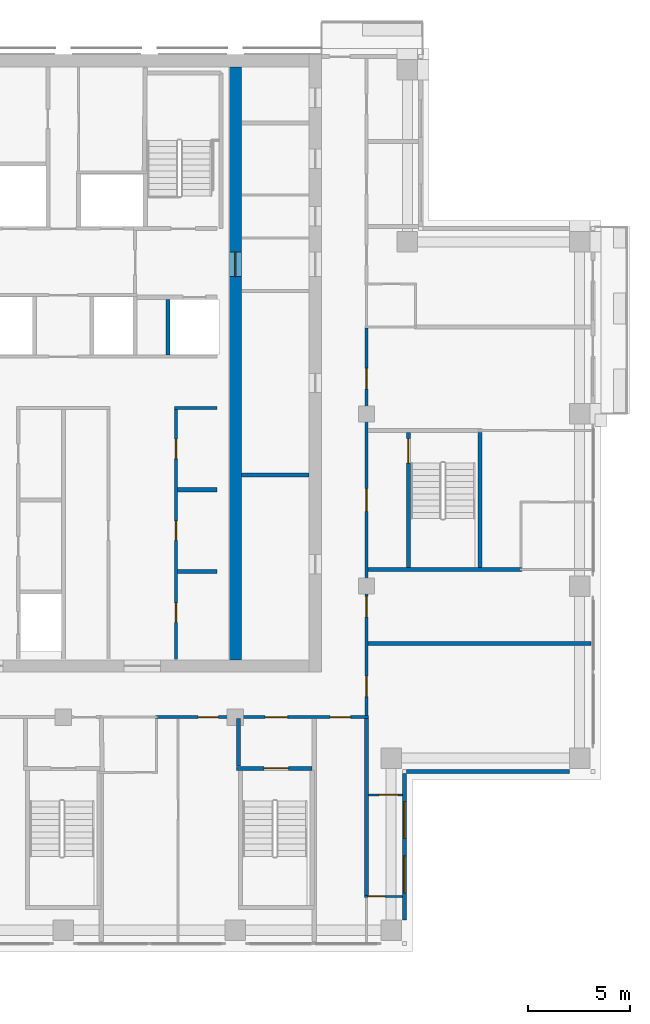
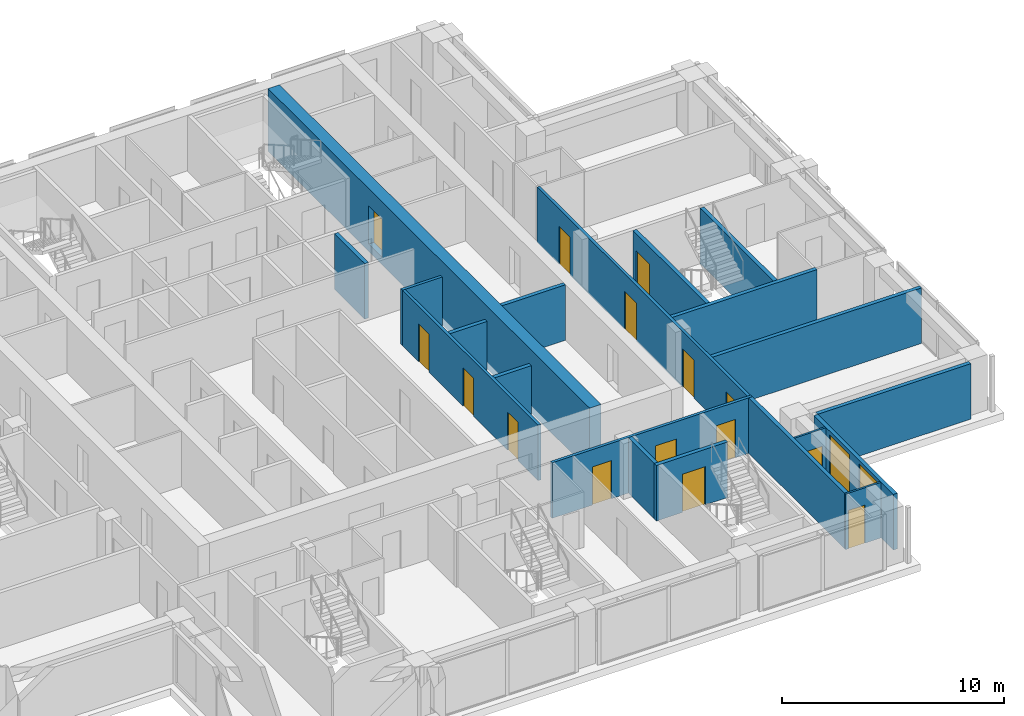
# One storey, part 10 of 16: 20 walls, 15 doors, 2 windows, 17 openings.
"""IFC4 building model written with IfcOpenShell, lengths in metres."""

from ifc_helpers import new_model, si_unit, direction, frame, frame_2d, origin, place, context, subcontext, project, spatial, rectangle, extrude, material, layer, layer_set, type_object, element, fill, save


model = new_model("IFC4")

# Units and contexts
model_context = context("Model", 3, precision=1e-05, world=origin(), true_north=direction((0.0, 1.0)))
body_context = subcontext(model_context, "Body", "Model", "MODEL_VIEW")
ifc_project = project(units=[si_unit("LENGTHUNIT", "METRE"), si_unit("AREAUNIT", "SQUARE_METRE"), si_unit("VOLUMEUNIT", "CUBIC_METRE"), si_unit("PLANEANGLEUNIT", "RADIAN"), si_unit("MASSUNIT", "GRAM", prefix="KILO")], contexts=[model_context])

# Site, building, storey
site_placement = place(None, origin())
site = spatial("IfcSite", under=ifc_project, at=site_placement, CompositionType="ELEMENT")
building_placement = place(site_placement, origin())
building = spatial("IfcBuilding", under=site, at=building_placement, Name="Vermilion Ogive Tower", CompositionType="ELEMENT")
storey_placement = place(building_placement, frame((0.0, 0.0, 182.449951171875)))
storey = spatial("IfcBuildingStorey", under=building, at=storey_placement, Name="L47", CompositionType="ELEMENT", Elevation=182.449951171875)

# Wall, opening, door
ifc_material_1 = material(Name="Concrete B60", Category="concrete")
ifc_layer_1 = layer(ifc_material_1, 0.60009765625)
ifc_layer_set_1 = layer_set([ifc_layer_1], Name="Core wall 600 B60")
wall_type_1 = type_object("IfcWallType", Name="Core wall 600 B60", PredefinedType="SHEAR", material=ifc_layer_set_1)
wall_1_placement = place(storey_placement, frame((8.39990234375, -7.800048828125, -0.39990234375), z_axis=(0.0, 0.0, 1.0), x_axis=(0.0, 1.0, 0.0)))
wall_1 = element("IfcWall", 1, at=wall_1_placement, inside=storey, type_object=wall_type_1, Name="L47-CORE-WEB2", PredefinedType="SHEAR", context=body_context, shape_type="SweptSolid", body=[
    extrude(rectangle(XDim=28.949951171875, YDim=0.60009765625, at=frame_2d((14.47509765625, 0.0))), origin(), (0.0, 0.0, 1.0), 3.449951171875),
])
opening_1_placement = place(wall_1_placement, frame((18.699951171875, 0.0, 0.39990234375)))
opening_1 = element("IfcOpeningElement", 2, at=opening_1_placement, cuts=wall_1, Name="Opening DAO013", PredefinedType="OPENING", context=body_context, shape_type="SweptSolid", body=[
    extrude(rectangle(XDim=1.199951171875, YDim=2.10009765625, at=frame_2d((0.60009765625, 1.050048828125))), frame((0.0, 0.31005859375, 0.0), z_axis=(0.0, -1.0, 0.0), x_axis=(1.0, 0.0, 0.0)), (0.0, 0.0, 1.0), 0.6201171875),
])
ifc_material_2 = material(Name="Timber door leaf", Category="wood")
door_type_1 = type_object("IfcDoorType", Name="Link door 1200 x 2100 FD60S", OperationType="SINGLE_SWING_LEFT", PredefinedType="DOOR", material=ifc_material_2)
door_1_placement = place(opening_1_placement, origin())
door_1 = element("IfcDoor", 3, at=door_1_placement, inside=storey, type_object=door_type_1, Name="L47-CKE-XW", OperationType="SINGLE_SWING_LEFT", OverallHeight=2.10009765625, OverallWidth=1.199951171875, PredefinedType="DOOR", context=body_context, shape_type="SweptSolid", body=[
    extrude(rectangle(XDim=1.199951171875, YDim=2.10009765625, at=frame_2d((0.60009765625, 1.050048828125))), frame((0.0, 0.02490234375, 0.0), z_axis=(0.0, -1.0, 0.0), x_axis=(1.0, 0.0, 0.0)), (0.0, 0.0, 1.0), 0.050048828125),
])
fill(opening_1, door_1)

ifc_material_3 = material(Name="Gypsum board partition on steel studs", Category="steel")
ifc_layer_2 = layer(ifc_material_3, 0.10009765625)
ifc_layer_set_2 = layer_set([ifc_layer_2], Name="Partition 100 bath")
wall_type_2 = type_object("IfcWallType", Name="Partition 100 bath", PredefinedType="PARTITIONING", material=ifc_layer_set_2)
wall_2_placement = place(storey_placement, frame((14.699951171875, -19.35009765625, 0.0), z_axis=(0.0, 0.0, 1.0), x_axis=(1.0, 0.0, 0.0)))
wall_2 = element("IfcWall", 4, at=wall_2_placement, inside=storey, type_object=wall_type_2, Name="L47-W-W005", PredefinedType="PARTITIONING", context=body_context, shape_type="SweptSolid", body=[
    extrude(rectangle(XDim=1.85009765625, YDim=0.10009765625, at=frame_2d((0.925048828125, 0.0))), origin(), (0.0, 0.0, 1.0), 3.050048828125),
])
opening_2_placement = place(wall_2_placement, frame((0.14990234375, 0.0, 0.0)))
opening_2 = element("IfcOpeningElement", 5, at=opening_2_placement, cuts=wall_2, Name="Opening D4G1019", PredefinedType="OPENING", context=body_context, shape_type="SweptSolid", body=[
    extrude(rectangle(XDim=0.85009765625, YDim=2.10009765625, at=frame_2d((0.425048828125, 1.050048828125))), frame((0.0, 0.06005859375, 0.0), z_axis=(0.0, -1.0, 0.0), x_axis=(1.0, 0.0, 0.0)), (0.0, 0.0, 1.0), 0.1201171875),
])
ifc_material_4 = material(Name="Timber door leaf", Category="wood")
door_type_2 = type_object("IfcDoorType", Name="Bath door 850 x 2100 FD30", OperationType="SINGLE_SWING_LEFT", PredefinedType="DOOR", material=ifc_material_4)
door_2_placement = place(opening_2_placement, origin())
door_2 = element("IfcDoor", 6, at=door_2_placement, inside=storey, type_object=door_type_2, Name="L47-D-D019", OperationType="SINGLE_SWING_RIGHT", OverallHeight=2.10009765625, OverallWidth=0.85009765625, PredefinedType="DOOR", context=body_context, shape_type="SweptSolid", body=[
    extrude(rectangle(XDim=0.85009765625, YDim=2.10009765625, at=frame_2d((0.425048828125, 1.050048828125))), frame((0.0, 0.02490234375, 0.0), z_axis=(0.0, -1.0, 0.0), x_axis=(1.0, 0.0, 0.0)), (0.0, 0.0, 1.0), 0.050048828125),
])
fill(opening_2, door_2)

ifc_material_5 = material(Name="Gypsum board partition on steel studs", Category="steel")
ifc_layer_3 = layer(ifc_material_5, 0.10009765625)
ifc_layer_set_3 = layer_set([ifc_layer_3], Name="Partition 100 inner")
wall_type_3 = type_object("IfcWallType", Name="Partition 100 inner", PredefinedType="PARTITIONING", material=ifc_layer_set_3)
wall_3_placement = place(storey_placement, frame((14.89990234375, -14.39990234375, 0.0), z_axis=(0.0, 0.0, 1.0), x_axis=(1.0, 0.0, 0.0)))
wall_3 = element("IfcWall", 7, at=wall_3_placement, inside=storey, type_object=wall_type_3, Name="L47-W-W007", PredefinedType="PARTITIONING", context=body_context, shape_type="SweptSolid", body=[
    extrude(rectangle(XDim=1.650146484375, YDim=0.10009765625, at=frame_2d((0.8251953125, 0.0))), origin(), (0.0, 0.0, 1.0), 3.050048828125),
])
opening_3_placement = place(wall_3_placement, frame((0.500244140625, 0.0, 0.0)))
opening_3 = element("IfcOpeningElement", 8, at=opening_3_placement, cuts=wall_3, Name="Opening D4G1018", PredefinedType="OPENING", context=body_context, shape_type="SweptSolid", body=[
    extrude(rectangle(XDim=0.949951171875, YDim=2.10009765625, at=frame_2d((0.47509765625, 1.050048828125))), frame((0.0, 0.06005859375, 0.0), z_axis=(0.0, -1.0, 0.0), x_axis=(1.0, 0.0, 0.0)), (0.0, 0.0, 1.0), 0.1201171875),
])
ifc_material_6 = material(Name="Timber door leaf", Category="wood")
door_type_3 = type_object("IfcDoorType", Name="Inner door 950 x 2100 FD30", OperationType="SINGLE_SWING_LEFT", PredefinedType="DOOR", material=ifc_material_6)
door_3_placement = place(opening_3_placement, origin())
door_3 = element("IfcDoor", 9, at=door_3_placement, inside=storey, type_object=door_type_3, Name="L47-D-D018", OperationType="SINGLE_SWING_RIGHT", OverallHeight=2.10009765625, OverallWidth=0.949951171875, PredefinedType="DOOR", context=body_context, shape_type="SweptSolid", body=[
    extrude(rectangle(XDim=0.949951171875, YDim=2.10009765625, at=frame_2d((0.47509765625, 1.050048828125))), frame((0.0, 0.02490234375, 0.0), z_axis=(0.0, -1.0, 0.0), x_axis=(1.0, 0.0, 0.0)), (0.0, 0.0, 1.0), 0.050048828125),
])
fill(opening_3, door_3)

# Wall, openings, doors
ifc_material_7 = material(Name="Gypsum board partition on steel studs", Category="steel")
ifc_layer_4 = layer(ifc_material_7, 0.14990234375)
ifc_layer_set_4 = layer_set([ifc_layer_4], Name="Partition 150 corridor")
wall_type_4 = type_object("IfcWallType", Name="Partition 150 corridor", PredefinedType="PARTITIONING", material=ifc_layer_set_4)
wall_4_placement = place(storey_placement, frame((4.5, -10.60009765625, 0.0), z_axis=(0.0, 0.0, 1.0), x_axis=(1.0, 0.0, 0.0)))
wall_4 = element("IfcWall", 10, at=wall_4_placement, inside=storey, type_object=wall_type_4, Name="L47-W-W017", PredefinedType="PARTITIONING", context=body_context, shape_type="SweptSolid", body=[
    extrude(rectangle(XDim=10.39990234375, YDim=0.14990234375, at=frame_2d((5.199951171875, 0.0))), origin(), (0.0, 0.0, 1.0), 3.050048828125),
])
opening_4_placement = place(wall_4_placement, frame((2.074951171875, 0.0, 0.0)))
opening_4 = element("IfcOpeningElement", 11, at=opening_4_placement, cuts=wall_4, Name="Opening D4G1014", PredefinedType="OPENING", context=body_context, shape_type="SweptSolid", body=[
    extrude(rectangle(XDim=1.0, YDim=2.10009765625, at=frame_2d((0.5, 1.050048828125))), frame((0.0, 0.0849609375, 0.0), z_axis=(0.0, -1.0, 0.0), x_axis=(1.0, 0.0, 0.0)), (0.0, 0.0, 1.0), 0.169921875),
])
opening_5_placement = place(wall_4_placement, frame((5.35009765625, 0.0, 0.0)))
opening_5 = element("IfcOpeningElement", 12, at=opening_5_placement, cuts=wall_4, Name="Opening D4G1031", PredefinedType="OPENING", context=body_context, shape_type="SweptSolid", body=[
    extrude(rectangle(XDim=1.10009765625, YDim=2.10009765625, at=frame_2d((0.550048828125, 1.050048828125))), frame((0.0, 0.0849609375, 0.0), z_axis=(0.0, -1.0, 0.0), x_axis=(1.0, 0.0, 0.0)), (0.0, 0.0, 1.0), 0.169921875),
])
opening_6_placement = place(wall_4_placement, frame((8.52490234375, 0.0, 0.0)))
opening_6 = element("IfcOpeningElement", 13, at=opening_6_placement, cuts=wall_4, Name="Opening D4G1038", PredefinedType="OPENING", context=body_context, shape_type="SweptSolid", body=[
    extrude(rectangle(XDim=1.0, YDim=2.10009765625, at=frame_2d((0.5, 1.050048828125))), frame((0.0, 0.0849609375, 0.0), z_axis=(0.0, -1.0, 0.0), x_axis=(1.0, 0.0, 0.0)), (0.0, 0.0, 1.0), 0.169921875),
])
ifc_material_8 = material(Name="Timber door leaf", Category="wood")
door_type_4 = type_object("IfcDoorType", Name="Stair door 1100 x 2100 FD60S", OperationType="SINGLE_SWING_LEFT", PredefinedType="DOOR", material=ifc_material_8)
door_4_placement = place(opening_5_placement, origin())
door_4 = element("IfcDoor", 14, at=door_4_placement, inside=storey, type_object=door_type_4, Name="L47-D-D031", OperationType="SINGLE_SWING_LEFT", OverallHeight=2.10009765625, OverallWidth=1.10009765625, PredefinedType="DOOR", context=body_context, shape_type="SweptSolid", body=[
    extrude(rectangle(XDim=1.10009765625, YDim=2.10009765625, at=frame_2d((0.550048828125, 1.050048828125))), frame((0.0, 0.02490234375, 0.0), z_axis=(0.0, -1.0, 0.0), x_axis=(1.0, 0.0, 0.0)), (0.0, 0.0, 1.0), 0.050048828125),
])
fill(opening_5, door_4)
ifc_material_9 = material(Name="Timber door leaf", Category="wood")
door_type_5 = type_object("IfcDoorType", Name="Unit door 1000 x 2100 FD30S", OperationType="SINGLE_SWING_LEFT", PredefinedType="DOOR", material=ifc_material_9)
door_5_placement = place(opening_4_placement, origin())
door_5 = element("IfcDoor", 15, at=door_5_placement, inside=storey, type_object=door_type_5, Name="L47-D-D014", OperationType="SINGLE_SWING_LEFT", OverallHeight=2.10009765625, OverallWidth=1.0, PredefinedType="DOOR", context=body_context, shape_type="SweptSolid", body=[
    extrude(rectangle(XDim=1.0, YDim=2.10009765625, at=frame_2d((0.5, 1.050048828125))), frame((0.0, 0.02490234375, 0.0), z_axis=(0.0, -1.0, 0.0), x_axis=(1.0, 0.0, 0.0)), (0.0, 0.0, 1.0), 0.050048828125),
])
fill(opening_4, door_5)
door_6_placement = place(opening_6_placement, origin())
door_6 = element("IfcDoor", 16, at=door_6_placement, inside=storey, type_object=door_type_5, Name="L47-D-D038", OperationType="SINGLE_SWING_LEFT", OverallHeight=2.10009765625, OverallWidth=1.0, PredefinedType="DOOR", context=body_context, shape_type="SweptSolid", body=[
    extrude(rectangle(XDim=1.0, YDim=2.10009765625, at=frame_2d((0.5, 1.050048828125))), frame((0.0, 0.02490234375, 0.0), z_axis=(0.0, -1.0, 0.0), x_axis=(1.0, 0.0, 0.0)), (0.0, 0.0, 1.0), 0.050048828125),
])
fill(opening_6, door_6)

wall_5_placement = place(storey_placement, frame((14.800048828125, -10.52490234375, 0.0), z_axis=(0.0, 0.0, 1.0), x_axis=(0.0, 1.0, 0.0)))
wall_5 = element("IfcWall", 17, at=wall_5_placement, inside=storey, type_object=wall_type_4, Name="L47-W-W072", PredefinedType="PARTITIONING", context=body_context, shape_type="SweptSolid", body=[
    extrude(rectangle(XDim=18.9248046875, YDim=0.14990234375, at=frame_2d((9.46240234375, 0.0))), origin(), (0.0, 0.0, 1.0), 3.050048828125),
])
opening_7_placement = place(wall_5_placement, frame((0.9248046875, 0.0, 0.0)))
opening_7 = element("IfcOpeningElement", 18, at=opening_7_placement, cuts=wall_5, Name="Opening D4G1017", PredefinedType="OPENING", context=body_context, shape_type="SweptSolid", body=[
    extrude(rectangle(XDim=1.0, YDim=2.10009765625, at=frame_2d((0.5, 1.050048828125))), frame((0.0, 0.0849609375, 0.0), z_axis=(0.0, -1.0, 0.0), x_axis=(1.0, 0.0, 0.0)), (0.0, 0.0, 1.0), 0.169921875),
])
opening_8_placement = place(wall_5_placement, frame((15.949951171875, 0.0, 0.0)))
opening_8 = element("IfcOpeningElement", 19, at=opening_8_placement, cuts=wall_5, Name="Opening D4G1020", PredefinedType="OPENING", context=body_context, shape_type="SweptSolid", body=[
    extrude(rectangle(XDim=1.0, YDim=2.10009765625, at=frame_2d((0.5, 1.050048828125))), frame((0.0, 0.0849609375, 0.0), z_axis=(0.0, -1.0, 0.0), x_axis=(1.0, 0.0, 0.0)), (0.0, 0.0, 1.0), 0.169921875),
])
opening_9_placement = place(wall_5_placement, frame((9.974853515625, 0.0, 0.0)))
opening_9 = element("IfcOpeningElement", 20, at=opening_9_placement, cuts=wall_5, Name="Opening D4G1033", PredefinedType="OPENING", context=body_context, shape_type="SweptSolid", body=[
    extrude(rectangle(XDim=1.10009765625, YDim=2.10009765625, at=frame_2d((0.550048828125, 1.050048828125))), frame((0.0, 0.0849609375, 0.0), z_axis=(0.0, -1.0, 0.0), x_axis=(1.0, 0.0, 0.0)), (0.0, 0.0, 1.0), 0.169921875),
])
opening_10_placement = place(wall_5_placement, frame((4.824951171875, 0.0, 0.0)))
opening_10 = element("IfcOpeningElement", 21, at=opening_10_placement, cuts=wall_5, Name="Opening D4G1040", PredefinedType="OPENING", context=body_context, shape_type="SweptSolid", body=[
    extrude(rectangle(XDim=1.0, YDim=2.10009765625, at=frame_2d((0.5, 1.050048828125))), frame((0.0, 0.0849609375, 0.0), z_axis=(0.0, -1.0, 0.0), x_axis=(1.0, 0.0, 0.0)), (0.0, 0.0, 1.0), 0.169921875),
])
door_7_placement = place(opening_9_placement, origin())
door_7 = element("IfcDoor", 22, at=door_7_placement, inside=storey, type_object=door_type_4, Name="L47-D-D033", OperationType="SINGLE_SWING_LEFT", OverallHeight=2.10009765625, OverallWidth=1.10009765625, PredefinedType="DOOR", context=body_context, shape_type="SweptSolid", body=[
    extrude(rectangle(XDim=1.10009765625, YDim=2.10009765625, at=frame_2d((0.550048828125, 1.050048828125))), frame((0.0, 0.02490234375, 0.0), z_axis=(0.0, -1.0, 0.0), x_axis=(1.0, 0.0, 0.0)), (0.0, 0.0, 1.0), 0.050048828125),
])
fill(opening_9, door_7)
door_8_placement = place(opening_7_placement, origin())
door_8 = element("IfcDoor", 23, at=door_8_placement, inside=storey, type_object=door_type_5, Name="L47-D-D017", OperationType="SINGLE_SWING_RIGHT", OverallHeight=2.10009765625, OverallWidth=1.0, PredefinedType="DOOR", context=body_context, shape_type="SweptSolid", body=[
    extrude(rectangle(XDim=1.0, YDim=2.10009765625, at=frame_2d((0.5, 1.050048828125))), frame((0.0, 0.02490234375, 0.0), z_axis=(0.0, -1.0, 0.0), x_axis=(1.0, 0.0, 0.0)), (0.0, 0.0, 1.0), 0.050048828125),
])
fill(opening_7, door_8)
door_9_placement = place(opening_8_placement, origin())
door_9 = element("IfcDoor", 24, at=door_9_placement, inside=storey, type_object=door_type_5, Name="L47-D-D020", OperationType="SINGLE_SWING_LEFT", OverallHeight=2.10009765625, OverallWidth=1.0, PredefinedType="DOOR", context=body_context, shape_type="SweptSolid", body=[
    extrude(rectangle(XDim=1.0, YDim=2.10009765625, at=frame_2d((0.5, 1.050048828125))), frame((0.0, 0.02490234375, 0.0), z_axis=(0.0, -1.0, 0.0), x_axis=(1.0, 0.0, 0.0)), (0.0, 0.0, 1.0), 0.050048828125),
])
fill(opening_8, door_9)
door_10_placement = place(opening_10_placement, origin())
door_10 = element("IfcDoor", 25, at=door_10_placement, inside=storey, type_object=door_type_5, Name="L47-D-D040", OperationType="SINGLE_SWING_LEFT", OverallHeight=2.10009765625, OverallWidth=1.0, PredefinedType="DOOR", context=body_context, shape_type="SweptSolid", body=[
    extrude(rectangle(XDim=1.0, YDim=2.10009765625, at=frame_2d((0.5, 1.050048828125))), frame((0.0, 0.02490234375, 0.0), z_axis=(0.0, -1.0, 0.0), x_axis=(1.0, 0.0, 0.0)), (0.0, 0.0, 1.0), 0.050048828125),
])
fill(opening_10, door_10)

# Wall
wall_6_placement = place(storey_placement, frame((5.425048828125, 4.5, 0.0), z_axis=(0.0, 0.0, 1.0), x_axis=(1.0, 0.0, 0.0)))
element("IfcWall", 26, at=wall_6_placement, inside=storey, type_object=wall_type_4, Name="L47-CK-W-W010", PredefinedType="PARTITIONING", context=body_context, shape_type="SweptSolid", body=[
    extrude(rectangle(XDim=2.074951171875, YDim=0.14990234375, at=frame_2d((1.03759765625, 0.0))), origin(), (0.0, 0.0, 1.0), 3.050048828125),
])

# Wall, openings, doors
wall_7_placement = place(storey_placement, frame((5.5, -7.799072265625, 0.0), z_axis=(0.0, 0.0, 1.0), x_axis=(0.0, 1.0, 0.0)))
wall_7 = element("IfcWall", 27, at=wall_7_placement, inside=storey, type_object=wall_type_4, Name="L47-CK-W-W038", PredefinedType="PARTITIONING", context=body_context, shape_type="SweptSolid", body=[
    extrude(rectangle(XDim=12.22412109375, YDim=0.14990234375, at=frame_2d((6.112060546875, 0.0))), origin(), (0.0, 0.0, 1.0), 3.050048828125),
])
opening_11_placement = place(wall_7_placement, frame((1.823974609375, 0.0, 0.0)))
opening_11 = element("IfcOpeningElement", 28, at=opening_11_placement, cuts=wall_7, Name="Opening DAA403", PredefinedType="OPENING", context=body_context, shape_type="SweptSolid", body=[
    extrude(rectangle(XDim=0.949951171875, YDim=2.10009765625, at=frame_2d((0.47509765625, 1.050048828125))), frame((0.0, 0.0849609375, 0.0), z_axis=(0.0, -1.0, 0.0), x_axis=(1.0, 0.0, 0.0)), (0.0, 0.0, 1.0), 0.169921875),
])
opening_12_placement = place(wall_7_placement, frame((5.823974609375, 0.0, 0.0)))
opening_12 = element("IfcOpeningElement", 29, at=opening_12_placement, cuts=wall_7, Name="Opening DAA404", PredefinedType="OPENING", context=body_context, shape_type="SweptSolid", body=[
    extrude(rectangle(XDim=0.949951171875, YDim=2.10009765625, at=frame_2d((0.47509765625, 1.050048828125))), frame((0.0, 0.0849609375, 0.0), z_axis=(0.0, -1.0, 0.0), x_axis=(1.0, 0.0, 0.0)), (0.0, 0.0, 1.0), 0.169921875),
])
opening_13_placement = place(wall_7_placement, frame((9.823974609375, 0.0, 0.0)))
opening_13 = element("IfcOpeningElement", 30, at=opening_13_placement, cuts=wall_7, Name="Opening DAA405", PredefinedType="OPENING", context=body_context, shape_type="SweptSolid", body=[
    extrude(rectangle(XDim=0.949951171875, YDim=2.10009765625, at=frame_2d((0.47509765625, 1.050048828125))), frame((0.0, 0.0849609375, 0.0), z_axis=(0.0, -1.0, 0.0), x_axis=(1.0, 0.0, 0.0)), (0.0, 0.0, 1.0), 0.169921875),
])
ifc_material_10 = material(Name="Timber door leaf", Category="wood")
door_type_6 = type_object("IfcDoorType", Name="Service door 950 x 2100 FD60", OperationType="SINGLE_SWING_LEFT", PredefinedType="DOOR", material=ifc_material_10)
door_11_placement = place(opening_11_placement, origin())
door_11 = element("IfcDoor", 31, at=door_11_placement, inside=storey, type_object=door_type_6, Name="L47-CK-D-D009", OperationType="SINGLE_SWING_LEFT", OverallHeight=2.10009765625, OverallWidth=0.949951171875, PredefinedType="DOOR", context=body_context, shape_type="SweptSolid", body=[
    extrude(rectangle(XDim=0.949951171875, YDim=2.10009765625, at=frame_2d((0.47509765625, 1.050048828125))), frame((0.0, 0.02490234375, 0.0), z_axis=(0.0, -1.0, 0.0), x_axis=(1.0, 0.0, 0.0)), (0.0, 0.0, 1.0), 0.050048828125),
])
fill(opening_11, door_11)
door_12_placement = place(opening_12_placement, origin())
door_12 = element("IfcDoor", 32, at=door_12_placement, inside=storey, type_object=door_type_6, Name="L47-CK-D-D010", OperationType="SINGLE_SWING_LEFT", OverallHeight=2.10009765625, OverallWidth=0.949951171875, PredefinedType="DOOR", context=body_context, shape_type="SweptSolid", body=[
    extrude(rectangle(XDim=0.949951171875, YDim=2.10009765625, at=frame_2d((0.47509765625, 1.050048828125))), frame((0.0, 0.02490234375, 0.0), z_axis=(0.0, -1.0, 0.0), x_axis=(1.0, 0.0, 0.0)), (0.0, 0.0, 1.0), 0.050048828125),
])
fill(opening_12, door_12)
door_13_placement = place(opening_13_placement, origin())
door_13 = element("IfcDoor", 33, at=door_13_placement, inside=storey, type_object=door_type_6, Name="L47-CK-D-D011", OperationType="SINGLE_SWING_RIGHT", OverallHeight=2.10009765625, OverallWidth=0.949951171875, PredefinedType="DOOR", context=body_context, shape_type="SweptSolid", body=[
    extrude(rectangle(XDim=0.949951171875, YDim=2.10009765625, at=frame_2d((0.47509765625, 1.050048828125))), frame((0.0, 0.02490234375, 0.0), z_axis=(0.0, -1.0, 0.0), x_axis=(1.0, 0.0, 0.0)), (0.0, 0.0, 1.0), 0.050048828125),
])
fill(opening_13, door_13)

# Walls
ifc_material_11 = material(Name="Gypsum board partition on steel studs", Category="steel")
ifc_layer_5 = layer(ifc_material_11, 0.199951171875)
ifc_layer_set_5 = layer_set([ifc_layer_5], Name="Partition 200 party")
wall_type_5 = type_object("IfcWallType", Name="Partition 200 party", PredefinedType="PARTITIONING", material=ifc_layer_set_5)
wall_8_placement = place(storey_placement, frame((14.875, -7.0, 0.0), z_axis=(0.0, 0.0, 1.0), x_axis=(1.0, 0.0, 0.0)))
element("IfcWall", 34, at=wall_8_placement, inside=storey, type_object=wall_type_5, Name="L47-W-W019", PredefinedType="PARTITIONING", context=body_context, shape_type="SweptSolid", body=[
    extrude(rectangle(XDim=10.875, YDim=0.199951171875, at=frame_2d((5.4375, 0.0))), origin(), (0.0, 0.0, 1.0), 3.050048828125),
])
wall_9_placement = place(storey_placement, frame((8.550048828125, -12.998046875, 0.0), z_axis=(0.0, 0.0, 1.0), x_axis=(0.0, 1.0, 0.0)))
element("IfcWall", 35, at=wall_9_placement, inside=storey, type_object=wall_type_5, Name="L47-W-W066", PredefinedType="PARTITIONING", context=body_context, shape_type="SweptSolid", body=[
    extrude(rectangle(XDim=2.322998046875, YDim=0.199951171875, at=frame_2d((1.16162109375, 0.0))), origin(), (0.0, 0.0, 1.0), 3.050048828125),
])
wall_10_placement = place(storey_placement, frame((14.800048828125, -19.300048828125, 0.0), z_axis=(0.0, 0.0, 1.0), x_axis=(0.0, 1.0, 0.0)))
element("IfcWall", 36, at=wall_10_placement, inside=storey, type_object=wall_type_5, Name="L47-W-W071", PredefinedType="PARTITIONING", context=body_context, shape_type="SweptSolid", body=[
    extrude(rectangle(XDim=8.625, YDim=0.199951171875, at=frame_2d((4.3125, 0.0))), origin(), (0.0, 0.0, 1.0), 3.050048828125),
])
for number, where, z_axis, x_axis, name in (
    (37, (5.574951171875, -3.5, 0.0), (0.0, 0.0, 1.0), (1.0, 0.0, 0.0), "L47-CK-W-W003"),
    (38, (5.574951171875, 0.5, 0.0), (0.0, 0.0, 1.0), (1.0, 0.0, 0.0), "L47-CK-W-W006"),
):
    element("IfcWall", number, at=place(storey_placement, frame(where, z_axis=z_axis, x_axis=x_axis)), inside=storey, type_object=wall_type_5, Name=name, PredefinedType="PARTITIONING", context=body_context, shape_type="SweptSolid", body=[
        extrude(rectangle(XDim=1.925048828125, YDim=0.199951171875, at=frame_2d((0.96240234375, 0.0))), origin(), (0.0, 0.0, 1.0), 3.050048828125),
    ])
wall_11_placement = place(storey_placement, frame((5.10009765625, 7.074951171875, 0.0), z_axis=(0.0, 0.0, 1.0), x_axis=(0.0, 1.0, 0.0)))
element("IfcWall", 39, at=wall_11_placement, inside=storey, type_object=wall_type_5, Name="L47-CK-W-W037", PredefinedType="PARTITIONING", context=body_context, shape_type="SweptSolid", body=[
    extrude(rectangle(XDim=2.72509765625, YDim=0.199951171875, at=frame_2d((1.362548828125, 0.0))), origin(), (0.0, 0.0, 1.0), 3.050048828125),
])
wall_12_placement = place(storey_placement, frame((8.700927734375, 1.22509765625, 0.0), z_axis=(0.0, 0.0, 1.0), x_axis=(1.0, 0.0, 0.0)))
element("IfcWall", 40, at=wall_12_placement, inside=storey, type_object=wall_type_5, Name="L47-CKE-W-W001", PredefinedType="PARTITIONING", context=body_context, shape_type="SweptSolid", body=[
    extrude(rectangle(XDim=3.298095703125, YDim=0.199951171875, at=frame_2d((1.64892578125, 0.0))), origin(), (0.0, 0.0, 1.0), 3.050048828125),
])

# Wall, opening, door
ifc_material_12 = material(Name="Concrete B60", Category="concrete")
ifc_layer_6 = layer(ifc_material_12, 0.199951171875)
ifc_layer_set_6 = layer_set([ifc_layer_6], Name="Stair shaft wall 200 Concrete B60")
wall_type_6 = type_object("IfcWallType", Name="Stair shaft wall 200 Concrete B60", PredefinedType="SOLIDWALL", material=ifc_layer_set_6)
wall_13_placement = place(storey_placement, frame((8.451904296875, -13.10009765625, 0.0), z_axis=(0.0, 0.0, 1.0), x_axis=(1.0, 0.0, 0.0)))
wall_13 = element("IfcWall", 41, at=wall_13_placement, inside=storey, type_object=wall_type_6, Name="L47-W-W012", PredefinedType="SOLIDWALL", context=body_context, shape_type="SweptSolid", body=[
    extrude(rectangle(XDim=3.696044921875, YDim=0.199951171875, at=frame_2d((1.84814453125, 0.0))), origin(), (0.0, 0.0, 1.0), 3.050048828125),
])
opening_14_placement = place(wall_13_placement, frame((1.34814453125, 0.0, 0.0)))
opening_14 = element("IfcOpeningElement", 42, at=opening_14_placement, cuts=wall_13, Name="Opening D4G1032", PredefinedType="OPENING", context=body_context, shape_type="SweptSolid", body=[
    extrude(rectangle(XDim=1.199951171875, YDim=2.10009765625, at=frame_2d((0.60009765625, 1.050048828125))), frame((0.0, 0.10986328125, 0.0), z_axis=(0.0, -1.0, 0.0), x_axis=(1.0, 0.0, 0.0)), (0.0, 0.0, 1.0), 0.219970703125),
])
ifc_material_13 = material(Name="Timber door leaf", Category="wood")
door_type_7 = type_object("IfcDoorType", Name="Stair door 1200 x 2100 FD60S", OperationType="SINGLE_SWING_LEFT", PredefinedType="DOOR", material=ifc_material_13)
door_14_placement = place(opening_14_placement, origin())
door_14 = element("IfcDoor", 43, at=door_14_placement, inside=storey, type_object=door_type_7, Name="L47-D-D032", OperationType="SINGLE_SWING_RIGHT", OverallHeight=2.10009765625, OverallWidth=1.199951171875, PredefinedType="DOOR", context=body_context, shape_type="SweptSolid", body=[
    extrude(rectangle(XDim=1.199951171875, YDim=2.10009765625, at=frame_2d((0.60009765625, 1.050048828125))), frame((0.0, 0.02490234375, 0.0), z_axis=(0.0, -1.0, 0.0), x_axis=(1.0, 0.0, 0.0)), (0.0, 0.0, 1.0), 0.050048828125),
])
fill(opening_14, door_14)

wall_14_placement = place(storey_placement, frame((16.85009765625, -3.300048828125, 0.0), z_axis=(0.0, 0.0, 1.0), x_axis=(0.0, 1.0, 0.0)))
wall_14 = element("IfcWall", 44, at=wall_14_placement, inside=storey, type_object=wall_type_6, Name="L47-W-W075", PredefinedType="SOLIDWALL", context=body_context, shape_type="SweptSolid", body=[
    extrude(rectangle(XDim=6.60009765625, YDim=0.199951171875, at=frame_2d((3.300048828125, 0.0))), origin(), (0.0, 0.0, 1.0), 3.050048828125),
])
opening_15_placement = place(wall_14_placement, frame((5.10009765625, 0.0, 0.0)))
opening_15 = element("IfcOpeningElement", 45, at=opening_15_placement, cuts=wall_14, Name="Opening D4G1034", PredefinedType="OPENING", context=body_context, shape_type="SweptSolid", body=[
    extrude(rectangle(XDim=1.199951171875, YDim=2.10009765625, at=frame_2d((0.60009765625, 1.050048828125))), frame((0.0, 0.10986328125, 0.0), z_axis=(0.0, -1.0, 0.0), x_axis=(1.0, 0.0, 0.0)), (0.0, 0.0, 1.0), 0.219970703125),
])
door_15_placement = place(opening_15_placement, origin())
door_15 = element("IfcDoor", 46, at=door_15_placement, inside=storey, type_object=door_type_7, Name="L47-D-D034", OperationType="SINGLE_SWING_LEFT", OverallHeight=2.10009765625, OverallWidth=1.199951171875, PredefinedType="DOOR", context=body_context, shape_type="SweptSolid", body=[
    extrude(rectangle(XDim=1.199951171875, YDim=2.10009765625, at=frame_2d((0.60009765625, 1.050048828125))), frame((0.0, 0.02490234375, 0.0), z_axis=(0.0, -1.0, 0.0), x_axis=(1.0, 0.0, 0.0)), (0.0, 0.0, 1.0), 0.050048828125),
])
fill(opening_15, door_15)

# Walls
wall_15_placement = place(storey_placement, frame((20.35009765625, -3.300048828125, 0.0), z_axis=(0.0, 0.0, 1.0), x_axis=(0.0, 1.0, 0.0)))
element("IfcWall", 47, at=wall_15_placement, inside=storey, type_object=wall_type_6, Name="L47-W-W077", PredefinedType="SOLIDWALL", context=body_context, shape_type="SweptSolid", body=[
    extrude(rectangle(XDim=6.60009765625, YDim=0.199951171875, at=frame_2d((3.300048828125, 0.0))), origin(), (0.0, 0.0, 1.0), 3.050048828125),
])
wall_16_placement = place(storey_placement, frame((14.875, -3.39990234375, 0.0), z_axis=(0.0, 0.0, 1.0), x_axis=(1.0, 0.0, 0.0)))
element("IfcWall", 48, at=wall_16_placement, inside=storey, type_object=wall_type_6, Name="L47-W-W023-A", PredefinedType="SOLIDWALL", context=body_context, shape_type="SweptSolid", body=[
    extrude(rectangle(XDim=7.52490234375, YDim=0.199951171875, at=frame_2d((3.762451171875, 0.0))), origin(), (0.0, 0.0, 1.0), 3.050048828125),
])

# Wall, openings, windows
ifc_material_14 = material(Name="Aluminium window wall framing", Category="aluminium")
ifc_layer_7 = layer(ifc_material_14, 0.199951171875)
ifc_layer_set_7 = layer_set([ifc_layer_7], Name="Window wall")
wall_type_7 = type_object("IfcWallType", Name="Window wall", PredefinedType="STANDARD", material=ifc_layer_set_7)
wall_17_placement = place(storey_placement, frame((16.64990234375, -20.5, 0.0), z_axis=(0.0, 0.0, 1.0), x_axis=(0.0, 1.0, 0.0)))
wall_17 = element("IfcWall", 49, at=wall_17_placement, inside=storey, type_object=wall_type_7, Name="Window wall X11", PredefinedType="STANDARD", context=body_context, shape_type="SweptSolid", body=[
    extrude(rectangle(XDim=7.14990234375, YDim=0.199951171875, at=frame_2d((3.574951171875, 0.0))), origin(), (0.0, 0.0, 1.0), 3.050048828125),
])
opening_16_placement = place(wall_17_placement, frame((1.320068359375, 0.0, 0.199951171875)))
opening_16 = element("IfcOpeningElement", 50, at=opening_16_placement, cuts=wall_17, Name="Opening W1-X195", PredefinedType="OPENING", context=body_context, shape_type="SweptSolid", body=[
    extrude(rectangle(XDim=1.800048828125, YDim=2.64990234375, at=frame_2d((0.89990234375, 1.324951171875))), frame((0.0, 0.10986328125, 0.0), z_axis=(0.0, -1.0, 0.0), x_axis=(1.0, 0.0, 0.0)), (0.0, 0.0, 1.0), 0.219970703125),
])
opening_17_placement = place(wall_17_placement, frame((3.97509765625, 0.0, 0.199951171875)))
opening_17 = element("IfcOpeningElement", 51, at=opening_17_placement, cuts=wall_17, Name="Opening W1-X196", PredefinedType="OPENING", context=body_context, shape_type="SweptSolid", body=[
    extrude(rectangle(XDim=1.800048828125, YDim=2.64990234375, at=frame_2d((0.89990234375, 1.324951171875))), frame((0.0, 0.10986328125, 0.0), z_axis=(0.0, -1.0, 0.0), x_axis=(1.0, 0.0, 0.0)), (0.0, 0.0, 1.0), 0.219970703125),
])
ifc_material_15 = material(Name="Aluminium framed double glazing", Category="aluminium")
window_type = type_object("IfcWindowType", Name="Guest window W1", PartitioningType="SINGLE_PANEL", PredefinedType="WINDOW", material=ifc_material_15)
window_1_placement = place(opening_16_placement, origin())
window_1 = element("IfcWindow", 52, at=window_1_placement, inside=storey, type_object=window_type, Name="Window X195", OverallHeight=2.64990234375, OverallWidth=1.800048828125, PartitioningType="SINGLE_PANEL", PredefinedType="WINDOW", context=body_context, shape_type="SweptSolid", body=[
    extrude(rectangle(XDim=1.800048828125, YDim=2.64990234375, at=frame_2d((0.89990234375, 1.324951171875))), frame((0.0, 0.030029296875, 0.0), z_axis=(0.0, -1.0, 0.0), x_axis=(1.0, 0.0, 0.0)), (0.0, 0.0, 1.0), 0.06005859375),
])
fill(opening_16, window_1)
window_2_placement = place(opening_17_placement, origin())
window_2 = element("IfcWindow", 53, at=window_2_placement, inside=storey, type_object=window_type, Name="Window X196", OverallHeight=2.64990234375, OverallWidth=1.800048828125, PartitioningType="SINGLE_PANEL", PredefinedType="WINDOW", context=body_context, shape_type="SweptSolid", body=[
    extrude(rectangle(XDim=1.800048828125, YDim=2.64990234375, at=frame_2d((0.89990234375, 1.324951171875))), frame((0.0, 0.030029296875, 0.0), z_axis=(0.0, -1.0, 0.0), x_axis=(1.0, 0.0, 0.0)), (0.0, 0.0, 1.0), 0.06005859375),
])
fill(opening_17, window_2)

# Wall
wall_18_placement = place(storey_placement, frame((16.75, -13.25, 0.0), z_axis=(0.0, 0.0, 1.0), x_axis=(1.0, 0.0, 0.0)))
element("IfcWall", 54, at=wall_18_placement, inside=storey, type_object=wall_type_7, Name="Window wall X21", PredefinedType="STANDARD", context=body_context, shape_type="SweptSolid", body=[
    extrude(rectangle(XDim=7.949951171875, YDim=0.199951171875, at=frame_2d((3.97509765625, 0.0))), origin(), (0.0, 0.0, 1.0), 3.050048828125),
])

save(model, "model.ifc")
